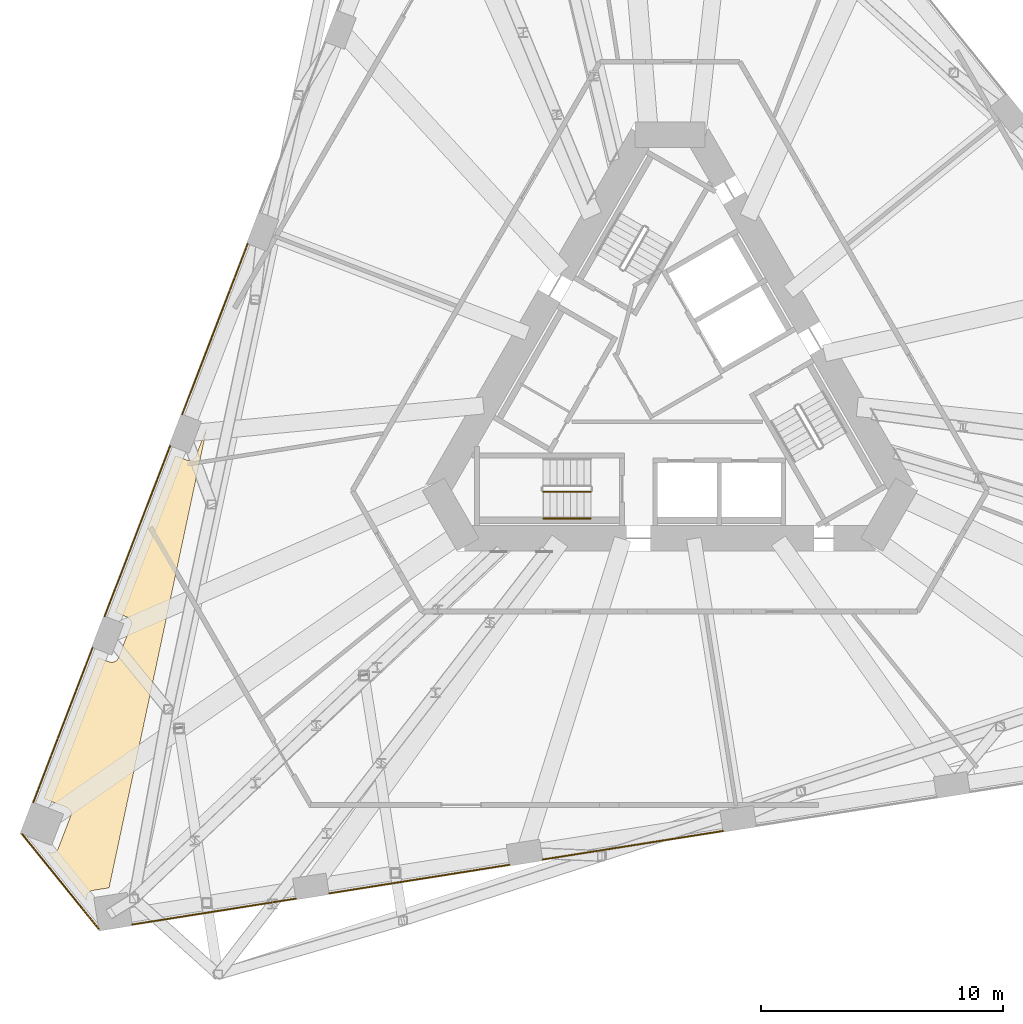
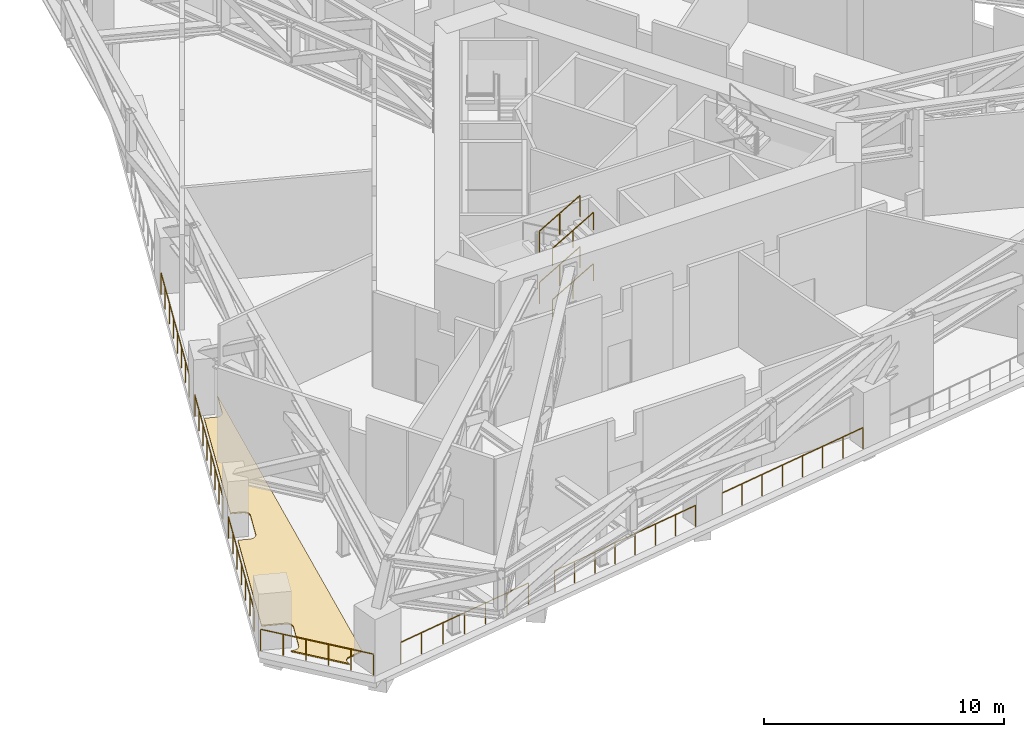
# One storey, part 17 of 20: 11 railings, 2 coverings.
"""IFC4 building model written with IfcOpenShell, lengths in metres."""

from ifc_helpers import new_model, si_unit, direction, frame, origin, origin_2d, place, context, subcontext, project, spatial, polyline, circle, outline, extrude, material, layer, layer_set, type_object, element, save


model = new_model("IFC4")

# Units and contexts
model_context = context("Model", 3, precision=1e-05, world=origin(), true_north=direction((0.0, 1.0)))
body_context = subcontext(model_context, "Body", "Model", "MODEL_VIEW")
ifc_project = project(units=[si_unit("LENGTHUNIT", "METRE"), si_unit("AREAUNIT", "SQUARE_METRE"), si_unit("VOLUMEUNIT", "CUBIC_METRE"), si_unit("PLANEANGLEUNIT", "RADIAN"), si_unit("MASSUNIT", "GRAM", prefix="KILO")], contexts=[model_context])

# Site, building, storey
site_placement = place(None, origin())
site = spatial("IfcSite", under=ifc_project, at=site_placement, CompositionType="ELEMENT")
building_placement = place(site_placement, origin())
building = spatial("IfcBuilding", under=site, at=building_placement, Name="Tramontana Tower", CompositionType="ELEMENT")
storey_placement = place(building_placement, frame((0.0, 0.0, 83.199951171875)))
storey = spatial("IfcBuildingStorey", under=building, at=storey_placement, Name="L18", CompositionType="ELEMENT", Elevation=83.199951171875)

# Railings
ifc_material_1 = material(Name="Stainless steel rail and posts", Category="steel")
railing_type_1 = type_object("IfcRailingType", Name="GD2 Terrace guard 1100", PredefinedType="GUARDRAIL", material=ifc_material_1)
railing_1_placement = place(storey_placement, frame((-26.798828125, -18.4697265625, 0.0)))
element("IfcRailing", 1, at=railing_1_placement, inside=storey, type_object=railing_type_1, Name="Edge guard L18 1", PredefinedType="GUARDRAIL", context=body_context, shape_type="SweptSolid", body=[
    extrude(circle(Radius=0.02392578125, at=origin_2d()), frame((0.0, 0.0, 1.076171875), z_axis=(0.629301693916, -0.777161101725, 0.0), x_axis=(0.777161101725, 0.629301693916, 0.0)), (0.0, 0.0, 1.0), 5.02294921875),
    extrude(circle(Radius=0.02099609375, at=origin_2d()), origin(), (0.0, 0.0, 1.0), 1.052001953125),
    extrude(circle(Radius=0.02099609375, at=origin_2d()), frame((0.632080078125, -0.78076171875, 0.0)), (0.0, 0.0, 1.0), 1.052001953125),
    extrude(circle(Radius=0.02099609375, at=origin_2d()), frame((1.264404296875, -1.5615234375, 0.0)), (0.0, 0.0, 1.0), 1.052001953125),
    extrude(circle(Radius=0.02099609375, at=origin_2d()), frame((1.896484375, -2.342041015625, 0.0)), (0.0, 0.0, 1.0), 1.052001953125),
    extrude(circle(Radius=0.02099609375, at=origin_2d()), frame((2.52880859375, -3.122802734375, 0.0)), (0.0, 0.0, 1.0), 1.052001953125),
    extrude(circle(Radius=0.02099609375, at=origin_2d()), frame((3.160888671875, -3.903564453125, 0.0)), (0.0, 0.0, 1.0), 1.052001953125),
])
railing_2_placement = place(storey_placement, frame((-23.889404296875, -10.750732421875, 0.0)))
element("IfcRailing", 2, at=railing_2_placement, inside=storey, type_object=railing_type_1, Name="Edge guard L18 2", PredefinedType="GUARDRAIL", context=body_context, shape_type="SweptSolid", body=[
    extrude(circle(Radius=0.02392578125, at=origin_2d()), frame((0.0, 0.0, 1.076171875), z_axis=(-0.358355550725, -0.933585185864, 0.0), x_axis=(0.933585185864, -0.358355550725, 0.0)), (0.0, 0.0, 1.0), 6.848876953125),
    extrude(circle(Radius=0.02099609375, at=origin_2d()), origin(), (0.0, 0.0, 1.0), 1.052001953125),
    extrude(circle(Radius=0.02099609375, at=origin_2d()), frame((-0.4091796875, -1.065673828125, 0.0)), (0.0, 0.0, 1.0), 1.052001953125),
    extrude(circle(Radius=0.02099609375, at=origin_2d()), frame((-0.818115234375, -2.13134765625, 0.0)), (0.0, 0.0, 1.0), 1.052001953125),
    extrude(circle(Radius=0.02099609375, at=origin_2d()), frame((-1.22705078125, -3.197021484375, 0.0)), (0.0, 0.0, 1.0), 1.052001953125),
    extrude(circle(Radius=0.02099609375, at=origin_2d()), frame((-1.63623046875, -4.2626953125, 0.0)), (0.0, 0.0, 1.0), 1.052001953125),
    extrude(circle(Radius=0.02099609375, at=origin_2d()), frame((-2.04541015625, -5.328369140625, 0.0)), (0.0, 0.0, 1.0), 1.052001953125),
    extrude(circle(Radius=0.02099609375, at=origin_2d()), frame((-2.454345703125, -6.39404296875, 0.0)), (0.0, 0.0, 1.0), 1.052001953125),
])
railing_3_placement = place(storey_placement, frame((-20.682373046875, -2.396240234375, 0.0)))
element("IfcRailing", 3, at=railing_3_placement, inside=storey, type_object=railing_type_1, Name="Edge guard L18 3", PredefinedType="GUARDRAIL", context=body_context, shape_type="SweptSolid", body=[
    extrude(circle(Radius=0.02392578125, at=origin_2d()), frame((0.0, 0.0, 1.076171875), z_axis=(-0.358378682576, -0.933576306402, 0.0), x_axis=(0.933576306402, -0.358378682576, 0.0)), (0.0, 0.0, 1.0), 7.548828125),
    extrude(circle(Radius=0.02099609375, at=origin_2d()), origin(), (0.0, 0.0, 1.0), 1.052001953125),
    extrude(circle(Radius=0.02099609375, at=origin_2d()), frame((-0.386474609375, -1.0068359375, 0.0)), (0.0, 0.0, 1.0), 1.052001953125),
    extrude(circle(Radius=0.02099609375, at=origin_2d()), frame((-0.77294921875, -2.013427734375, 0.0)), (0.0, 0.0, 1.0), 1.052001953125),
    extrude(circle(Radius=0.02099609375, at=origin_2d()), frame((-1.159423828125, -3.020263671875, 0.0)), (0.0, 0.0, 1.0), 1.052001953125),
    extrude(circle(Radius=0.02099609375, at=origin_2d()), frame((-1.5458984375, -4.027099609375, 0.0)), (0.0, 0.0, 1.0), 1.052001953125),
    extrude(circle(Radius=0.02099609375, at=origin_2d()), frame((-1.932373046875, -5.033935546875, 0.0)), (0.0, 0.0, 1.0), 1.052001953125),
    extrude(circle(Radius=0.02099609375, at=origin_2d()), frame((-2.31884765625, -6.04052734375, 0.0)), (0.0, 0.0, 1.0), 1.052001953125),
    extrude(circle(Radius=0.02099609375, at=origin_2d()), frame((-2.705322265625, -7.04736328125, 0.0)), (0.0, 0.0, 1.0), 1.052001953125),
])
railing_4_placement = place(storey_placement, frame((-22.247314453125, -22.20361328125, 0.0)))
element("IfcRailing", 4, at=railing_4_placement, inside=storey, type_object=railing_type_1, Name="Edge guard L18 4", PredefinedType="GUARDRAIL", context=body_context, shape_type="SweptSolid", body=[
    extrude(circle(Radius=0.02392578125, at=origin_2d()), frame((0.0, 0.0, 1.076171875), z_axis=(0.987685675151, 0.156451293065, 0.0), x_axis=(-0.156451293065, 0.987685675151, 0.0)), (0.0, 0.0, 1.0), 6.848876953125),
    extrude(circle(Radius=0.02099609375, at=origin_2d()), origin(), (0.0, 0.0, 1.0), 1.052001953125),
    extrude(circle(Radius=0.02099609375, at=origin_2d()), frame((1.12744140625, 0.1787109375, 0.0)), (0.0, 0.0, 1.0), 1.052001953125),
    extrude(circle(Radius=0.02099609375, at=origin_2d()), frame((2.2548828125, 0.357177734375, 0.0)), (0.0, 0.0, 1.0), 1.052001953125),
    extrude(circle(Radius=0.02099609375, at=origin_2d()), frame((3.38232421875, 0.53564453125, 0.0)), (0.0, 0.0, 1.0), 1.052001953125),
    extrude(circle(Radius=0.02099609375, at=origin_2d()), frame((4.509765625, 0.71435546875, 0.0)), (0.0, 0.0, 1.0), 1.052001953125),
    extrude(circle(Radius=0.02099609375, at=origin_2d()), frame((5.63720703125, 0.89306640625, 0.0)), (0.0, 0.0, 1.0), 1.052001953125),
    extrude(circle(Radius=0.02099609375, at=origin_2d()), frame((6.7646484375, 1.071533203125, 0.0)), (0.0, 0.0, 1.0), 1.052001953125),
])
railing_5_placement = place(storey_placement, frame((-17.475341796875, 5.95849609375, 0.0)))
element("IfcRailing", 5, at=railing_5_placement, inside=storey, type_object=railing_type_1, Name="Edge guard L18 5", PredefinedType="GUARDRAIL", context=body_context, shape_type="SweptSolid", body=[
    extrude(circle(Radius=0.02392578125, at=origin_2d()), frame((0.0, 0.0, 1.076171875), z_axis=(-0.358367862182, -0.933580460033, 0.0), x_axis=(0.933580460033, -0.358367862182, 0.0)), (0.0, 0.0, 1.0), 7.549072265625),
    extrude(circle(Radius=0.02099609375, at=origin_2d()), origin(), (0.0, 0.0, 1.0), 1.052001953125),
    extrude(circle(Radius=0.02099609375, at=origin_2d()), frame((-0.386474609375, -1.0068359375, 0.0)), (0.0, 0.0, 1.0), 1.052001953125),
    extrude(circle(Radius=0.02099609375, at=origin_2d()), frame((-0.77294921875, -2.013671875, 0.0)), (0.0, 0.0, 1.0), 1.052001953125),
    extrude(circle(Radius=0.02099609375, at=origin_2d()), frame((-1.159423828125, -3.0205078125, 0.0)), (0.0, 0.0, 1.0), 1.052001953125),
    extrude(circle(Radius=0.02099609375, at=origin_2d()), frame((-1.5458984375, -4.027099609375, 0.0)), (0.0, 0.0, 1.0), 1.052001953125),
    extrude(circle(Radius=0.02099609375, at=origin_2d()), frame((-1.932373046875, -5.033935546875, 0.0)), (0.0, 0.0, 1.0), 1.052001953125),
    extrude(circle(Radius=0.02099609375, at=origin_2d()), frame((-2.31884765625, -6.040771484375, 0.0)), (0.0, 0.0, 1.0), 1.052001953125),
    extrude(circle(Radius=0.02099609375, at=origin_2d()), frame((-2.705322265625, -7.047607421875, 0.0)), (0.0, 0.0, 1.0), 1.052001953125),
])
for number, where, name in (
    (6, (-14.099853515625, -20.9130859375, 0.0), "Edge guard L18 7"),
    (7, (-5.26123046875, -19.51318359375, 0.0), "Edge guard L18 11"),
):
    element("IfcRailing", number, at=place(storey_placement, frame(where)), inside=storey, type_object=railing_type_1, Name=name, PredefinedType="GUARDRAIL", context=body_context, shape_type="SweptSolid", body=[
        extrude(circle(Radius=0.02392578125, at=origin_2d()), frame((0.0, 0.0, 1.076171875), z_axis=(0.987688644444, 0.1564325466, 0.0), x_axis=(-0.1564325466, 0.987688644444, 0.0)), (0.0, 0.0, 1.0), 7.549072265625),
        extrude(circle(Radius=0.02099609375, at=origin_2d()), origin(), (0.0, 0.0, 1.0), 1.052001953125),
        extrude(circle(Radius=0.02099609375, at=origin_2d()), frame((1.065185546875, 0.168701171875, 0.0)), (0.0, 0.0, 1.0), 1.052001953125),
        extrude(circle(Radius=0.02099609375, at=origin_2d()), frame((2.13037109375, 0.33740234375, 0.0)), (0.0, 0.0, 1.0), 1.052001953125),
        extrude(circle(Radius=0.02099609375, at=origin_2d()), frame((3.195556640625, 0.506103515625, 0.0)), (0.0, 0.0, 1.0), 1.052001953125),
        extrude(circle(Radius=0.02099609375, at=origin_2d()), frame((4.260498046875, 0.6748046875, 0.0)), (0.0, 0.0, 1.0), 1.052001953125),
        extrude(circle(Radius=0.02099609375, at=origin_2d()), frame((5.32568359375, 0.843505859375, 0.0)), (0.0, 0.0, 1.0), 1.052001953125),
        extrude(circle(Radius=0.02099609375, at=origin_2d()), frame((6.390869140625, 1.01220703125, 0.0)), (0.0, 0.0, 1.0), 1.052001953125),
        extrude(circle(Radius=0.02099609375, at=origin_2d()), frame((7.4560546875, 1.180908203125, 0.0)), (0.0, 0.0, 1.0), 1.052001953125),
    ])

# Covering
ifc_material_2 = material(Name="Limestone paving 60", Category="masonry")
ifc_layer_1 = layer(ifc_material_2, 0.06005859375)
ifc_layer_set_1 = layer_set([ifc_layer_1], Name="PV1 Terrace paving 60")
covering_type_1 = type_object("IfcCoveringType", Name="PV1 Terrace paving 60", PredefinedType="FLOORING", material=ifc_layer_set_1)
covering_1_placement = place(storey_placement, frame((0.0, 0.0, 0.010009765625)))
element("IfcCovering", 8, at=covering_1_placement, inside=storey, type_object=covering_type_1, Name="Terrace paving L18 2", PredefinedType="FLOORING", context=body_context, shape_type="SweptSolid", body=[
    extrude(outline(polyline([(-25.767822265625, -19.186767578125), (-25.69287109375, -19.215576171875), (-25.664794921875, -19.224853515625), (-25.635986328125, -19.231201171875), (-25.60693359375, -19.23486328125), (-25.577392578125, -19.2353515625), (-25.548095703125, -19.233154296875), (-25.51904296875, -19.22802734375), (-25.49072265625, -19.22021484375), (-25.463134765625, -19.209716796875), (-25.43701171875, -19.1962890625), (-25.412109375, -19.180419921875), (-25.388916015625, -19.162353515625), (-25.36767578125, -19.14208984375), (-25.348388671875, -19.11962890625), (-25.33154296875, -19.095703125), (-25.317138671875, -19.070068359375), (-25.30517578125, -19.04296875), (-24.803466796875, -17.736083984375), (-24.794189453125, -17.7080078125), (-24.787841796875, -17.679443359375), (-24.784423828125, -17.650146484375), (-24.78369140625, -17.62060546875), (-24.785888671875, -17.59130859375), (-24.791015625, -17.562255859375), (-24.798828125, -17.533935546875), (-24.8095703125, -17.506591796875), (-24.82275390625, -17.480224609375), (-24.838623046875, -17.455322265625), (-24.856689453125, -17.43212890625), (-24.876953125, -17.410888671875), (-24.8994140625, -17.391845703125), (-24.92333984375, -17.374755859375), (-24.948974609375, -17.3603515625), (-24.97607421875, -17.348388671875), (-25.90966796875, -16.989990234375), (-23.670166015625, -11.15625), (-23.203369140625, -11.33544921875), (-23.175537109375, -11.344482421875), (-23.146728515625, -11.35107421875), (-23.117431640625, -11.3544921875), (-23.088134765625, -11.355224609375), (-23.05859375, -11.35302734375), (-23.02978515625, -11.347900390625), (-23.001220703125, -11.340087890625), (-22.973876953125, -11.329345703125), (-22.947509765625, -11.316162109375), (-22.9228515625, -11.30029296875), (-22.899658203125, -11.2822265625), (-22.878173828125, -11.26171875), (-22.859130859375, -11.239501953125), (-22.84228515625, -11.21533203125), (-22.82763671875, -11.189697265625), (-22.81591796875, -11.162841796875), (-22.314208984375, -9.855712890625), (-22.304931640625, -9.827880859375), (-22.298583984375, -9.799072265625), (-22.294921875, -9.769775390625), (-22.294189453125, -9.740478515625), (-22.29638671875, -9.711181640625), (-22.301513671875, -9.68212890625), (-22.3095703125, -9.65380859375), (-22.320068359375, -9.626220703125), (-22.33349609375, -9.60009765625), (-22.34912109375, -9.5751953125), (-22.367431640625, -9.552001953125), (-22.3876953125, -9.53076171875), (-22.409912109375, -9.511474609375), (-22.43408203125, -9.49462890625), (-22.459716796875, -9.480224609375), (-22.486572265625, -9.46826171875), (-22.953369140625, -9.2890625), (-20.463134765625, -2.8017578125), (-19.996337890625, -2.98095703125), (-19.968505859375, -2.989990234375), (-19.939697265625, -2.996337890625), (-19.910400390625, -3.0), (-19.881103515625, -3.000732421875), (-19.8515625, -2.99853515625), (-19.82275390625, -2.993408203125), (-19.79443359375, -2.985595703125), (-19.766845703125, -2.974853515625), (-19.740478515625, -2.961669921875), (-19.7158203125, -2.94580078125), (-19.692626953125, -2.927734375), (-19.67138671875, -2.9072265625), (-19.652099609375, -2.885009765625), (-19.63525390625, -2.86083984375), (-19.62060546875, -2.835205078125), (-19.60888671875, -2.808349609375), (-19.15869140625, -1.635986328125), (-23.207763671875, -20.68505859375), (-23.88818359375, -20.79296875), (-23.9169921875, -20.799072265625), (-23.945068359375, -20.807861328125), (-23.97216796875, -20.8193359375), (-23.998046875, -20.83349609375), (-24.022216796875, -20.85009765625), (-24.044921875, -20.868896484375), (-24.0654296875, -20.889892578125), (-24.083984375, -20.912841796875), (-24.10009765625, -20.9375), (-24.11376953125, -20.963623046875), (-24.124755859375, -20.990966796875), (-24.133056640625, -21.019287109375), (-24.138427734375, -21.048095703125), (-24.14111328125, -21.077392578125), (-24.140625, -21.10693359375), (-24.137451171875, -21.13623046875), (-24.125, -21.215576171875), (-25.767822265625, -19.186767578125)])), origin(), (0.0, 0.0, 1.0), 0.06005859375),
])

# Railings
ifc_material_3 = material(Name="Painted steel", Category="steel")
railing_type_2 = type_object("IfcRailingType", Name="STAIR GUARD 1100", PredefinedType="GUARDRAIL", material=ifc_material_3)
for number, where, name in (
    (9, (-5.239990234375, -4.300048828125, 1.462646484375), "L18 ST2 stair guard 2"),
    (10, (-5.239990234375, -4.300048828125, 4.0625), "L18 ST2 stair guard 4"),
):
    element("IfcRailing", number, at=place(storey_placement, frame(where)), inside=storey, type_object=railing_type_2, Name=name, PredefinedType="GUARDRAIL", context=body_context, shape_type="SweptSolid", body=[
        extrude(circle(Radius=0.02392578125, at=origin_2d()), frame((0.0, 0.0, 1.076171875), z_axis=(0.864902109995, 0.0, 0.501940574298), x_axis=(0.0, 1.0, 0.0)), (0.0, 0.0, 1.0), 2.26611328125),
        extrude(circle(Radius=0.02099609375, at=origin_2d()), origin(), (0.0, 0.0, 1.0), 1.052001953125),
        extrude(circle(Radius=0.02099609375, at=origin_2d()), frame((0.97998046875, 0.0, 0.56884765625)), (0.0, 0.0, 1.0), 1.052001953125),
        extrude(circle(Radius=0.02099609375, at=origin_2d()), frame((1.9599609375, 0.0, 1.137451171875)), (0.0, 0.0, 1.0), 1.052001953125),
    ])
ifc_material_4 = material(Name="Painted steel", Category="steel")
railing_type_3 = type_object("IfcRailingType", Name="STAIR HANDRAIL 900", PredefinedType="HANDRAIL", material=ifc_material_4)
for number, where, name in (
    (11, (-5.239990234375, -5.39990234375, 1.462646484375), "L18 ST2 stair handrail 2"),
    (12, (-5.239990234375, -5.39990234375, 4.0625), "L18 ST2 stair handrail 4"),
):
    element("IfcRailing", number, at=place(storey_placement, frame(where)), inside=storey, type_object=railing_type_3, Name=name, PredefinedType="HANDRAIL", context=body_context, shape_type="SweptSolid", body=[
        extrude(circle(Radius=0.02392578125, at=origin_2d()), frame((0.0, 0.0, 0.8759765625), z_axis=(0.864902109995, 0.0, 0.501940574298), x_axis=(0.0, 1.0, 0.0)), (0.0, 0.0, 1.0), 2.26611328125),
        extrude(circle(Radius=0.02099609375, at=origin_2d()), origin(), (0.0, 0.0, 1.0), 0.851806640625),
        extrude(circle(Radius=0.02099609375, at=origin_2d()), frame((0.97998046875, 0.0, 0.56884765625)), (0.0, 0.0, 1.0), 0.851806640625),
        extrude(circle(Radius=0.02099609375, at=origin_2d()), frame((1.9599609375, 0.0, 1.137451171875)), (0.0, 0.0, 1.0), 0.851806640625),
    ])

# Covering
ifc_material_5 = material(Name="Bituminous waterproofing membrane")
ifc_layer_2 = layer(ifc_material_5, 0.010009765625)
ifc_layer_set_2 = layer_set([ifc_layer_2], Name="WP1 Terrace waterproofing membrane 10")
covering_type_2 = type_object("IfcCoveringType", Name="WP1 Terrace waterproofing membrane 10", PredefinedType="MEMBRANE", material=ifc_layer_set_2)
covering_2_placement = place(storey_placement, origin())
element("IfcCovering", 13, at=covering_2_placement, inside=storey, type_object=covering_type_2, Name="Terrace membrane L18 2", PredefinedType="MEMBRANE", context=body_context, shape_type="SweptSolid", body=[
    extrude(outline(polyline([(-25.767822265625, -19.186767578125), (-25.69287109375, -19.215576171875), (-25.664794921875, -19.224853515625), (-25.635986328125, -19.231201171875), (-25.60693359375, -19.23486328125), (-25.577392578125, -19.2353515625), (-25.548095703125, -19.233154296875), (-25.51904296875, -19.22802734375), (-25.49072265625, -19.22021484375), (-25.463134765625, -19.209716796875), (-25.43701171875, -19.1962890625), (-25.412109375, -19.180419921875), (-25.388916015625, -19.162353515625), (-25.36767578125, -19.14208984375), (-25.348388671875, -19.11962890625), (-25.33154296875, -19.095703125), (-25.317138671875, -19.070068359375), (-25.30517578125, -19.04296875), (-24.803466796875, -17.736083984375), (-24.794189453125, -17.7080078125), (-24.787841796875, -17.679443359375), (-24.784423828125, -17.650146484375), (-24.78369140625, -17.62060546875), (-24.785888671875, -17.59130859375), (-24.791015625, -17.562255859375), (-24.798828125, -17.533935546875), (-24.8095703125, -17.506591796875), (-24.82275390625, -17.480224609375), (-24.838623046875, -17.455322265625), (-24.856689453125, -17.43212890625), (-24.876953125, -17.410888671875), (-24.8994140625, -17.391845703125), (-24.92333984375, -17.374755859375), (-24.948974609375, -17.3603515625), (-24.97607421875, -17.348388671875), (-25.90966796875, -16.989990234375), (-23.670166015625, -11.15625), (-23.203369140625, -11.33544921875), (-23.175537109375, -11.344482421875), (-23.146728515625, -11.35107421875), (-23.117431640625, -11.3544921875), (-23.088134765625, -11.355224609375), (-23.05859375, -11.35302734375), (-23.02978515625, -11.347900390625), (-23.001220703125, -11.340087890625), (-22.973876953125, -11.329345703125), (-22.947509765625, -11.316162109375), (-22.9228515625, -11.30029296875), (-22.899658203125, -11.2822265625), (-22.878173828125, -11.26171875), (-22.859130859375, -11.239501953125), (-22.84228515625, -11.21533203125), (-22.82763671875, -11.189697265625), (-22.81591796875, -11.162841796875), (-22.314208984375, -9.855712890625), (-22.304931640625, -9.827880859375), (-22.298583984375, -9.799072265625), (-22.294921875, -9.769775390625), (-22.294189453125, -9.740478515625), (-22.29638671875, -9.711181640625), (-22.301513671875, -9.68212890625), (-22.3095703125, -9.65380859375), (-22.320068359375, -9.626220703125), (-22.33349609375, -9.60009765625), (-22.34912109375, -9.5751953125), (-22.367431640625, -9.552001953125), (-22.3876953125, -9.53076171875), (-22.409912109375, -9.511474609375), (-22.43408203125, -9.49462890625), (-22.459716796875, -9.480224609375), (-22.486572265625, -9.46826171875), (-22.953369140625, -9.2890625), (-20.463134765625, -2.8017578125), (-19.996337890625, -2.98095703125), (-19.968505859375, -2.989990234375), (-19.939697265625, -2.996337890625), (-19.910400390625, -3.0), (-19.881103515625, -3.000732421875), (-19.8515625, -2.99853515625), (-19.82275390625, -2.993408203125), (-19.79443359375, -2.985595703125), (-19.766845703125, -2.974853515625), (-19.740478515625, -2.961669921875), (-19.7158203125, -2.94580078125), (-19.692626953125, -2.927734375), (-19.67138671875, -2.9072265625), (-19.652099609375, -2.885009765625), (-19.63525390625, -2.86083984375), (-19.62060546875, -2.835205078125), (-19.60888671875, -2.808349609375), (-19.15869140625, -1.635986328125), (-23.207763671875, -20.68505859375), (-23.88818359375, -20.79296875), (-23.9169921875, -20.799072265625), (-23.945068359375, -20.807861328125), (-23.97216796875, -20.8193359375), (-23.998046875, -20.83349609375), (-24.022216796875, -20.85009765625), (-24.044921875, -20.868896484375), (-24.0654296875, -20.889892578125), (-24.083984375, -20.912841796875), (-24.10009765625, -20.9375), (-24.11376953125, -20.963623046875), (-24.124755859375, -20.990966796875), (-24.133056640625, -21.019287109375), (-24.138427734375, -21.048095703125), (-24.14111328125, -21.077392578125), (-24.140625, -21.10693359375), (-24.137451171875, -21.13623046875), (-24.125, -21.215576171875), (-25.767822265625, -19.186767578125)])), origin(), (0.0, 0.0, 1.0), 0.010009765625),
])

save(model, "model.ifc")
